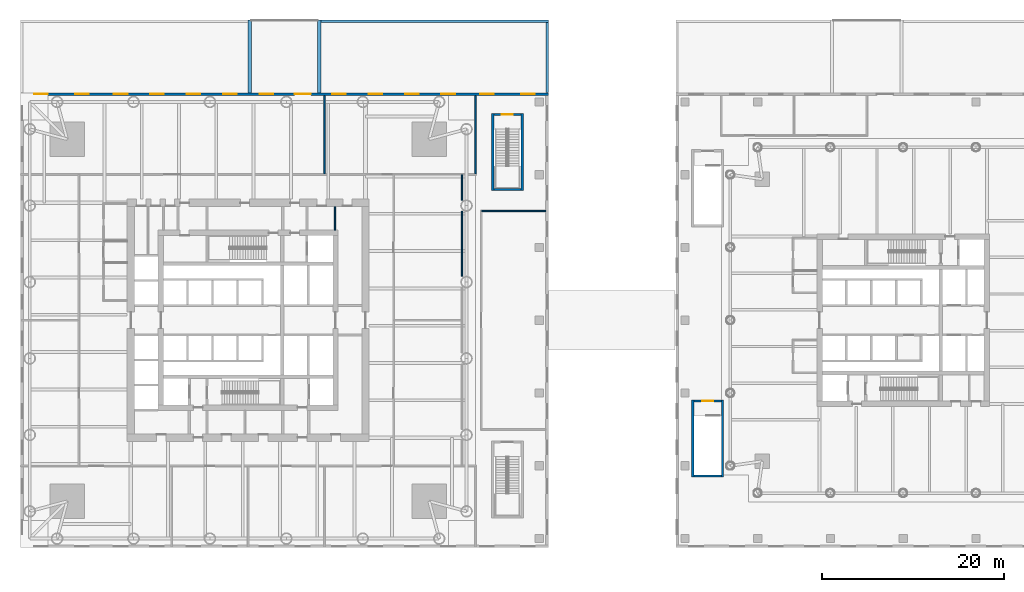
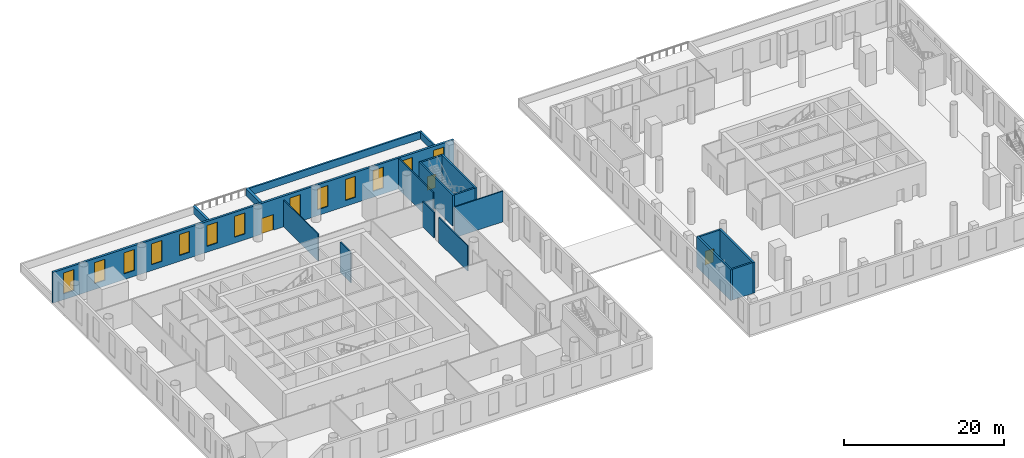
# One storey, part 9 of 16: 19 walls, 13 windows, 3 doors, 16 openings.
"""IFC4 building model written with IfcOpenShell, lengths in metres."""

from ifc_helpers import new_model, si_unit, direction, frame, frame_2d, origin, place, context, subcontext, project, spatial, rectangle, extrude, material, layer, layer_set, type_object, element, fill, save


model = new_model("IFC4")

# Units and contexts
model_context = context("Model", 3, precision=1e-05, world=origin(), true_north=direction((0.0, 1.0)))
body_context = subcontext(model_context, "Body", "Model", "MODEL_VIEW")
ifc_project = project(units=[si_unit("LENGTHUNIT", "METRE"), si_unit("AREAUNIT", "SQUARE_METRE"), si_unit("VOLUMEUNIT", "CUBIC_METRE"), si_unit("PLANEANGLEUNIT", "RADIAN"), si_unit("MASSUNIT", "GRAM", prefix="KILO")], contexts=[model_context])

# Site, building, storey
site_placement = place(None, origin())
site = spatial("IfcSite", under=ifc_project, at=site_placement, CompositionType="ELEMENT")
building_placement = place(site_placement, origin())
building = spatial("IfcBuilding", under=site, at=building_placement, Name="Ostroluk Exchange", CompositionType="ELEMENT")
storey_placement = place(building_placement, frame((0.0, 0.0, 16.0)))
storey = spatial("IfcBuildingStorey", under=building, at=storey_placement, Name="L03", CompositionType="ELEMENT", Elevation=16.0)

# Walls
ifc_material_1 = material(Name="Concrete blockwork", Category="masonry")
ifc_layer_1 = layer(ifc_material_1, 0.14990234375)
ifc_layer_set_1 = layer_set([ifc_layer_1], Name="Blockwork plant room wall 150")
wall_type_1 = type_object("IfcWallType", Name="Blockwork plant room wall 150", PredefinedType="SOLIDWALL", material=ifc_layer_set_1)
wall_1_placement = place(storey_placement, frame((54.550048828125, 55.89990234375, 0.0), z_axis=(0.0, 0.0, 1.0), x_axis=(0.0, 1.0, 0.0)))
element("IfcWall", 1, at=wall_1_placement, inside=storey, type_object=wall_type_1, Name="Core room wall", PredefinedType="SOLIDWALL", context=body_context, shape_type="SweptSolid", body=[
    extrude(rectangle(XDim=2.60009765625, YDim=0.14990234375, at=frame_2d((1.300048828125, 0.0))), origin(), (0.0, 0.0, 1.0), 4.699951171875),
])
ifc_material_2 = material(Name="Concrete blockwork", Category="masonry")
ifc_layer_2 = layer(ifc_material_2, 0.25)
ifc_layer_set_2 = layer_set([ifc_layer_2], Name="Blockwork stair enclosure wall 250")
wall_type_2 = type_object("IfcWallType", Name="Blockwork stair enclosure wall 250", PredefinedType="SOLIDWALL", material=ifc_layer_set_2)
for number, where, z_axis, x_axis, name in (
    (2, (71.875, 60.25, 0.0), (0.0, 0.0, 1.0), (0.0, 1.0, 0.0), "Stair PS4 enclosure wall"),
    (3, (75.125, 60.25, 0.0), (0.0, 0.0, 1.0), (0.0, 1.0, 0.0), "Stair PS4 enclosure wall"),
):
    element("IfcWall", number, at=place(storey_placement, frame(where, z_axis=z_axis, x_axis=x_axis)), inside=storey, type_object=wall_type_2, Name=name, PredefinedType="SOLIDWALL", context=body_context, shape_type="SweptSolid", body=[
        extrude(rectangle(XDim=8.5, YDim=0.25, at=frame_2d((4.25, 0.0))), origin(), (0.0, 0.0, 1.0), 4.699951171875),
    ])
wall_2_placement = place(storey_placement, frame((72.0, 60.375, 0.0), z_axis=(0.0, 0.0, 1.0), x_axis=(1.0, 0.0, 0.0)))
element("IfcWall", 4, at=wall_2_placement, inside=storey, type_object=wall_type_2, Name="Stair PS4 enclosure wall", PredefinedType="SOLIDWALL", context=body_context, shape_type="SweptSolid", body=[
    extrude(rectangle(XDim=3.0, YDim=0.25, at=frame_2d((1.5, 0.0))), origin(), (0.0, 0.0, 1.0), 4.699951171875),
])

# Wall, opening, door
wall_3_placement = place(storey_placement, frame((72.0, 68.625, 0.0), z_axis=(0.0, 0.0, 1.0), x_axis=(1.0, 0.0, 0.0)))
wall_3 = element("IfcWall", 5, at=wall_3_placement, inside=storey, type_object=wall_type_2, Name="Stair PS4 enclosure wall", PredefinedType="SOLIDWALL", context=body_context, shape_type="SweptSolid", body=[
    extrude(rectangle(XDim=3.0, YDim=0.25, at=frame_2d((1.5, 0.0))), origin(), (0.0, 0.0, 1.0), 4.699951171875),
])
opening_1_placement = place(wall_3_placement, frame((0.89990234375, 0.0, 0.0)))
opening_1 = element("IfcOpeningElement", 6, at=opening_1_placement, cuts=wall_3, Name="Opening FD60S", PredefinedType="OPENING", context=body_context, shape_type="SweptSolid", body=[
    extrude(rectangle(XDim=1.199951171875, YDim=2.10009765625, at=frame_2d((0.60009765625, 1.050048828125))), frame((0.0, 0.135009765625, 0.0), z_axis=(0.0, -1.0, 0.0), x_axis=(1.0, 0.0, 0.0)), (0.0, 0.0, 1.0), 0.27001953125),
])
ifc_material_3 = material(Name="Steel", Category="steel")
door_type_1 = type_object("IfcDoorType", Name="Stair door EI 60 1200 x 2100", OperationType="SINGLE_SWING_LEFT", PredefinedType="DOOR", material=ifc_material_3)
door_1_placement = place(opening_1_placement, origin())
door_1 = element("IfcDoor", 7, at=door_1_placement, inside=storey, type_object=door_type_1, Name="Stair PS4 door", OperationType="SINGLE_SWING_LEFT", OverallHeight=2.10009765625, OverallWidth=1.199951171875, PredefinedType="DOOR", context=body_context, shape_type="SweptSolid", body=[
    extrude(rectangle(XDim=1.199951171875, YDim=2.10009765625, at=frame_2d((0.60009765625, 1.050048828125))), frame((0.0, 0.02490234375, 0.0), z_axis=(0.0, -1.0, 0.0), x_axis=(1.0, 0.0, 0.0)), (0.0, 0.0, 1.0), 0.050048828125),
])
fill(opening_1, door_1)

# Walls
for number, where, z_axis, x_axis, name in (
    (8, (93.875, 28.75, 0.0), (0.0, 0.0, 1.0), (0.0, 1.0, 0.0), "Stair PS5 enclosure wall"),
    (9, (97.125, 28.75, 0.0), (0.0, 0.0, 1.0), (0.0, 1.0, 0.0), "Stair PS5 enclosure wall"),
):
    element("IfcWall", number, at=place(storey_placement, frame(where, z_axis=z_axis, x_axis=x_axis)), inside=storey, type_object=wall_type_2, Name=name, PredefinedType="SOLIDWALL", context=body_context, shape_type="SweptSolid", body=[
        extrude(rectangle(XDim=8.5, YDim=0.25, at=frame_2d((4.25, 0.0))), origin(), (0.0, 0.0, 1.0), 4.699951171875),
    ])
wall_4_placement = place(storey_placement, frame((94.0, 28.875, 0.0), z_axis=(0.0, 0.0, 1.0), x_axis=(1.0, 0.0, 0.0)))
element("IfcWall", 10, at=wall_4_placement, inside=storey, type_object=wall_type_2, Name="Stair PS5 enclosure wall", PredefinedType="SOLIDWALL", context=body_context, shape_type="SweptSolid", body=[
    extrude(rectangle(XDim=3.0, YDim=0.25, at=frame_2d((1.5, 0.0))), origin(), (0.0, 0.0, 1.0), 4.699951171875),
])

# Wall, opening, door
wall_5_placement = place(storey_placement, frame((94.0, 37.125, 0.0), z_axis=(0.0, 0.0, 1.0), x_axis=(1.0, 0.0, 0.0)))
wall_5 = element("IfcWall", 11, at=wall_5_placement, inside=storey, type_object=wall_type_2, Name="Stair PS5 enclosure wall", PredefinedType="SOLIDWALL", context=body_context, shape_type="SweptSolid", body=[
    extrude(rectangle(XDim=3.0, YDim=0.25, at=frame_2d((1.5, 0.0))), origin(), (0.0, 0.0, 1.0), 4.699951171875),
])
opening_2_placement = place(wall_5_placement, frame((0.89990234375, 0.0, 0.0)))
opening_2 = element("IfcOpeningElement", 12, at=opening_2_placement, cuts=wall_5, Name="Opening FD60S", PredefinedType="OPENING", context=body_context, shape_type="SweptSolid", body=[
    extrude(rectangle(XDim=1.199951171875, YDim=2.10009765625, at=frame_2d((0.60009765625, 1.050048828125))), frame((0.0, 0.135009765625, 0.0), z_axis=(0.0, -1.0, 0.0), x_axis=(1.0, 0.0, 0.0)), (0.0, 0.0, 1.0), 0.27001953125),
])
door_2_placement = place(opening_2_placement, origin())
door_2 = element("IfcDoor", 13, at=door_2_placement, inside=storey, type_object=door_type_1, Name="Stair PS5 door", OperationType="SINGLE_SWING_LEFT", OverallHeight=2.10009765625, OverallWidth=1.199951171875, PredefinedType="DOOR", context=body_context, shape_type="SweptSolid", body=[
    extrude(rectangle(XDim=1.199951171875, YDim=2.10009765625, at=frame_2d((0.60009765625, 1.050048828125))), frame((0.0, 0.02490234375, 0.0), z_axis=(0.0, -1.0, 0.0), x_axis=(1.0, 0.0, 0.0)), (0.0, 0.0, 1.0), 0.050048828125),
])
fill(opening_2, door_2)

# Walls
ifc_material_4 = material(Name="Limestone", Category="masonry")
ifc_layer_3 = layer(ifc_material_4, 0.25)
ifc_layer_set_3 = layer_set([ifc_layer_3], Name="Green roof parapet 250")
wall_type_3 = type_object("IfcWallType", Name="Green roof parapet 250", PredefinedType="PARAPET", material=ifc_layer_set_3)
wall_6_placement = place(storey_placement, frame((53.010009765625, 78.875, 0.0), z_axis=(0.0, 0.0, 1.0), x_axis=(1.0, 0.0, 0.0)))
element("IfcWall", 14, at=wall_6_placement, inside=storey, type_object=wall_type_3, Name="Green roof parapet L03 1", PredefinedType="PARAPET", context=body_context, shape_type="SweptSolid", body=[
    extrude(rectangle(XDim=24.989990234375, YDim=0.25, at=frame_2d((12.4951171875, 0.0))), origin(), (0.0, 0.0, 1.0), 1.10009765625),
])
wall_7_placement = place(storey_placement, frame((77.875, 71.010009765625, 0.0), z_axis=(0.0, 0.0, 1.0), x_axis=(0.0, 1.0, 0.0)))
element("IfcWall", 15, at=wall_7_placement, inside=storey, type_object=wall_type_3, Name="Green roof parapet L03 2", PredefinedType="PARAPET", context=body_context, shape_type="SweptSolid", body=[
    extrude(rectangle(XDim=7.739990234375, YDim=0.25, at=frame_2d((3.8701171875, 0.0))), origin(), (0.0, 0.0, 1.0), 1.10009765625),
])

# Wall, openings, windows, door
ifc_material_5 = material(Name="Limestone", Category="masonry")
ifc_layer_4 = layer(ifc_material_5, 0.300048828125)
ifc_layer_set_4 = layer_set([ifc_layer_4], Name="Limestone facade wall 300")
wall_type_4 = type_object("IfcWallType", Name="Limestone facade wall 300", PredefinedType="SOLIDWALL", material=ifc_layer_set_4)
wall_8_placement = place(storey_placement, frame((78.0, 70.85009765625, 0.0), z_axis=(0.0, 0.0, 1.0), x_axis=(-1.0, 0.0, 0.0)))
wall_8 = element("IfcWall", 16, at=wall_8_placement, inside=storey, type_object=wall_type_4, Name="Podium west N wall L03 1a", PredefinedType="SOLIDWALL", context=body_context, shape_type="SweptSolid", body=[
    extrude(rectangle(XDim=58.0, YDim=0.300048828125, at=frame_2d((29.0, 0.0))), origin(), (0.0, 0.0, 1.0), 4.699951171875),
])
opening_3_placement = place(wall_8_placement, frame((1.5, 0.0, 0.89990234375)))
opening_3 = element("IfcOpeningElement", 17, at=opening_3_placement, cuts=wall_8, Name="Opening WN-L2", PredefinedType="OPENING", context=body_context, shape_type="SweptSolid", body=[
    extrude(rectangle(XDim=1.5, YDim=3.199951171875, at=frame_2d((0.75, 1.60009765625))), frame((0.0, 0.159912109375, 0.0), z_axis=(0.0, -1.0, 0.0), x_axis=(1.0, 0.0, 0.0)), (0.0, 0.0, 1.0), 0.320068359375),
])
opening_4_placement = place(wall_8_placement, frame((6.0, 0.0, 0.89990234375)))
opening_4 = element("IfcOpeningElement", 18, at=opening_4_placement, cuts=wall_8, Name="Opening WN-L2", PredefinedType="OPENING", context=body_context, shape_type="SweptSolid", body=[
    extrude(rectangle(XDim=1.5, YDim=3.199951171875, at=frame_2d((0.75, 1.60009765625))), frame((0.0, 0.159912109375, 0.0), z_axis=(0.0, -1.0, 0.0), x_axis=(1.0, 0.0, 0.0)), (0.0, 0.0, 1.0), 0.320068359375),
])
opening_5_placement = place(wall_8_placement, frame((10.25, 0.0, 0.89990234375)))
opening_5 = element("IfcOpeningElement", 19, at=opening_5_placement, cuts=wall_8, Name="Opening WN-L2", PredefinedType="OPENING", context=body_context, shape_type="SweptSolid", body=[
    extrude(rectangle(XDim=1.5, YDim=3.199951171875, at=frame_2d((0.75, 1.60009765625))), frame((0.0, 0.159912109375, 0.0), z_axis=(0.0, -1.0, 0.0), x_axis=(1.0, 0.0, 0.0)), (0.0, 0.0, 1.0), 0.320068359375),
])
opening_6_placement = place(wall_8_placement, frame((14.25, 0.0, 0.89990234375)))
opening_6 = element("IfcOpeningElement", 20, at=opening_6_placement, cuts=wall_8, Name="Opening WN-L2", PredefinedType="OPENING", context=body_context, shape_type="SweptSolid", body=[
    extrude(rectangle(XDim=1.5, YDim=3.199951171875, at=frame_2d((0.75, 1.60009765625))), frame((0.0, 0.159912109375, 0.0), z_axis=(0.0, -1.0, 0.0), x_axis=(1.0, 0.0, 0.0)), (0.0, 0.0, 1.0), 0.320068359375),
])
opening_7_placement = place(wall_8_placement, frame((18.25, 0.0, 0.89990234375)))
opening_7 = element("IfcOpeningElement", 21, at=opening_7_placement, cuts=wall_8, Name="Opening WN-L2", PredefinedType="OPENING", context=body_context, shape_type="SweptSolid", body=[
    extrude(rectangle(XDim=1.5, YDim=3.199951171875, at=frame_2d((0.75, 1.60009765625))), frame((0.0, 0.159912109375, 0.0), z_axis=(0.0, -1.0, 0.0), x_axis=(1.0, 0.0, 0.0)), (0.0, 0.0, 1.0), 0.320068359375),
])
opening_8_placement = place(wall_8_placement, frame((22.25, 0.0, 0.89990234375)))
opening_8 = element("IfcOpeningElement", 22, at=opening_8_placement, cuts=wall_8, Name="Opening WN-L2", PredefinedType="OPENING", context=body_context, shape_type="SweptSolid", body=[
    extrude(rectangle(XDim=1.5, YDim=3.199951171875, at=frame_2d((0.75, 1.60009765625))), frame((0.0, 0.159912109375, 0.0), z_axis=(0.0, -1.0, 0.0), x_axis=(1.0, 0.0, 0.0)), (0.0, 0.0, 1.0), 0.320068359375),
])
opening_9_placement = place(wall_8_placement, frame((26.10009765625, 0.0, 0.0)))
opening_9 = element("IfcOpeningElement", 23, at=opening_9_placement, cuts=wall_8, Name="Opening D-T1", PredefinedType="OPENING", context=body_context, shape_type="SweptSolid", body=[
    extrude(rectangle(XDim=1.800048828125, YDim=2.39990234375, at=frame_2d((0.89990234375, 1.199951171875))), frame((0.0, 0.159912109375, 0.0), z_axis=(0.0, -1.0, 0.0), x_axis=(1.0, 0.0, 0.0)), (0.0, 0.0, 1.0), 0.320068359375),
])
opening_10_placement = place(wall_8_placement, frame((30.25, 0.0, 0.89990234375)))
opening_10 = element("IfcOpeningElement", 24, at=opening_10_placement, cuts=wall_8, Name="Opening WN-L2", PredefinedType="OPENING", context=body_context, shape_type="SweptSolid", body=[
    extrude(rectangle(XDim=1.5, YDim=3.199951171875, at=frame_2d((0.75, 1.60009765625))), frame((0.0, 0.159912109375, 0.0), z_axis=(0.0, -1.0, 0.0), x_axis=(1.0, 0.0, 0.0)), (0.0, 0.0, 1.0), 0.320068359375),
])
opening_11_placement = place(wall_8_placement, frame((34.25, 0.0, 0.89990234375)))
opening_11 = element("IfcOpeningElement", 25, at=opening_11_placement, cuts=wall_8, Name="Opening WN-L2", PredefinedType="OPENING", context=body_context, shape_type="SweptSolid", body=[
    extrude(rectangle(XDim=1.5, YDim=3.199951171875, at=frame_2d((0.75, 1.60009765625))), frame((0.0, 0.159912109375, 0.0), z_axis=(0.0, -1.0, 0.0), x_axis=(1.0, 0.0, 0.0)), (0.0, 0.0, 1.0), 0.320068359375),
])
opening_12_placement = place(wall_8_placement, frame((38.25, 0.0, 0.89990234375)))
opening_12 = element("IfcOpeningElement", 26, at=opening_12_placement, cuts=wall_8, Name="Opening WN-L2", PredefinedType="OPENING", context=body_context, shape_type="SweptSolid", body=[
    extrude(rectangle(XDim=1.5, YDim=3.199951171875, at=frame_2d((0.75, 1.60009765625))), frame((0.0, 0.159912109375, 0.0), z_axis=(0.0, -1.0, 0.0), x_axis=(1.0, 0.0, 0.0)), (0.0, 0.0, 1.0), 0.320068359375),
])
opening_13_placement = place(wall_8_placement, frame((42.25, 0.0, 0.89990234375)))
opening_13 = element("IfcOpeningElement", 27, at=opening_13_placement, cuts=wall_8, Name="Opening WN-L2", PredefinedType="OPENING", context=body_context, shape_type="SweptSolid", body=[
    extrude(rectangle(XDim=1.5, YDim=3.199951171875, at=frame_2d((0.75, 1.60009765625))), frame((0.0, 0.159912109375, 0.0), z_axis=(0.0, -1.0, 0.0), x_axis=(1.0, 0.0, 0.0)), (0.0, 0.0, 1.0), 0.320068359375),
])
opening_14_placement = place(wall_8_placement, frame((46.25, 0.0, 0.89990234375)))
opening_14 = element("IfcOpeningElement", 28, at=opening_14_placement, cuts=wall_8, Name="Opening WN-L2", PredefinedType="OPENING", context=body_context, shape_type="SweptSolid", body=[
    extrude(rectangle(XDim=1.5, YDim=3.199951171875, at=frame_2d((0.75, 1.60009765625))), frame((0.0, 0.159912109375, 0.0), z_axis=(0.0, -1.0, 0.0), x_axis=(1.0, 0.0, 0.0)), (0.0, 0.0, 1.0), 0.320068359375),
])
opening_15_placement = place(wall_8_placement, frame((50.5, 0.0, 0.89990234375)))
opening_15 = element("IfcOpeningElement", 29, at=opening_15_placement, cuts=wall_8, Name="Opening WN-L2", PredefinedType="OPENING", context=body_context, shape_type="SweptSolid", body=[
    extrude(rectangle(XDim=1.5, YDim=3.199951171875, at=frame_2d((0.75, 1.60009765625))), frame((0.0, 0.159912109375, 0.0), z_axis=(0.0, -1.0, 0.0), x_axis=(1.0, 0.0, 0.0)), (0.0, 0.0, 1.0), 0.320068359375),
])
opening_16_placement = place(wall_8_placement, frame((55.0, 0.0, 0.89990234375)))
opening_16 = element("IfcOpeningElement", 30, at=opening_16_placement, cuts=wall_8, Name="Opening WN-L2", PredefinedType="OPENING", context=body_context, shape_type="SweptSolid", body=[
    extrude(rectangle(XDim=1.5, YDim=3.199951171875, at=frame_2d((0.75, 1.60009765625))), frame((0.0, 0.159912109375, 0.0), z_axis=(0.0, -1.0, 0.0), x_axis=(1.0, 0.0, 0.0)), (0.0, 0.0, 1.0), 0.320068359375),
])
ifc_material_6 = material(Name="Laminated clear glass", Category="glass")
window_type = type_object("IfcWindowType", Name="Podium lancet window 1500 x 3200", PartitioningType="DOUBLE_PANEL_VERTICAL", PredefinedType="WINDOW", material=ifc_material_6)
window_1_placement = place(opening_3_placement, origin())
window_1 = element("IfcWindow", 31, at=window_1_placement, inside=storey, type_object=window_type, Name="Podium west lancet window N L03 1.1", OverallHeight=3.199951171875, OverallWidth=1.5, PartitioningType="SINGLE_PANEL", PredefinedType="WINDOW", context=body_context, shape_type="SweptSolid", body=[
    extrude(rectangle(XDim=1.5, YDim=3.199951171875, at=frame_2d((0.75, 1.60009765625))), frame((0.0, 0.030029296875, 0.0), z_axis=(0.0, -1.0, 0.0), x_axis=(1.0, 0.0, 0.0)), (0.0, 0.0, 1.0), 0.06005859375),
])
fill(opening_3, window_1)
window_2_placement = place(opening_4_placement, origin())
window_2 = element("IfcWindow", 32, at=window_2_placement, inside=storey, type_object=window_type, Name="Podium west lancet window N L03 1.2", OverallHeight=3.199951171875, OverallWidth=1.5, PartitioningType="SINGLE_PANEL", PredefinedType="WINDOW", context=body_context, shape_type="SweptSolid", body=[
    extrude(rectangle(XDim=1.5, YDim=3.199951171875, at=frame_2d((0.75, 1.60009765625))), frame((0.0, 0.030029296875, 0.0), z_axis=(0.0, -1.0, 0.0), x_axis=(1.0, 0.0, 0.0)), (0.0, 0.0, 1.0), 0.06005859375),
])
fill(opening_4, window_2)
window_3_placement = place(opening_5_placement, origin())
window_3 = element("IfcWindow", 33, at=window_3_placement, inside=storey, type_object=window_type, Name="Podium west lancet window N L03 2.1", OverallHeight=3.199951171875, OverallWidth=1.5, PartitioningType="SINGLE_PANEL", PredefinedType="WINDOW", context=body_context, shape_type="SweptSolid", body=[
    extrude(rectangle(XDim=1.5, YDim=3.199951171875, at=frame_2d((0.75, 1.60009765625))), frame((0.0, 0.030029296875, 0.0), z_axis=(0.0, -1.0, 0.0), x_axis=(1.0, 0.0, 0.0)), (0.0, 0.0, 1.0), 0.06005859375),
])
fill(opening_5, window_3)
window_4_placement = place(opening_6_placement, origin())
window_4 = element("IfcWindow", 34, at=window_4_placement, inside=storey, type_object=window_type, Name="Podium west lancet window N L03 2.2", OverallHeight=3.199951171875, OverallWidth=1.5, PartitioningType="SINGLE_PANEL", PredefinedType="WINDOW", context=body_context, shape_type="SweptSolid", body=[
    extrude(rectangle(XDim=1.5, YDim=3.199951171875, at=frame_2d((0.75, 1.60009765625))), frame((0.0, 0.030029296875, 0.0), z_axis=(0.0, -1.0, 0.0), x_axis=(1.0, 0.0, 0.0)), (0.0, 0.0, 1.0), 0.06005859375),
])
fill(opening_6, window_4)
window_5_placement = place(opening_7_placement, origin())
window_5 = element("IfcWindow", 35, at=window_5_placement, inside=storey, type_object=window_type, Name="Podium west lancet window N L03 3.1", OverallHeight=3.199951171875, OverallWidth=1.5, PartitioningType="SINGLE_PANEL", PredefinedType="WINDOW", context=body_context, shape_type="SweptSolid", body=[
    extrude(rectangle(XDim=1.5, YDim=3.199951171875, at=frame_2d((0.75, 1.60009765625))), frame((0.0, 0.030029296875, 0.0), z_axis=(0.0, -1.0, 0.0), x_axis=(1.0, 0.0, 0.0)), (0.0, 0.0, 1.0), 0.06005859375),
])
fill(opening_7, window_5)
window_6_placement = place(opening_8_placement, origin())
window_6 = element("IfcWindow", 36, at=window_6_placement, inside=storey, type_object=window_type, Name="Podium west lancet window N L03 3.2", OverallHeight=3.199951171875, OverallWidth=1.5, PartitioningType="SINGLE_PANEL", PredefinedType="WINDOW", context=body_context, shape_type="SweptSolid", body=[
    extrude(rectangle(XDim=1.5, YDim=3.199951171875, at=frame_2d((0.75, 1.60009765625))), frame((0.0, 0.030029296875, 0.0), z_axis=(0.0, -1.0, 0.0), x_axis=(1.0, 0.0, 0.0)), (0.0, 0.0, 1.0), 0.06005859375),
])
fill(opening_8, window_6)
window_7_placement = place(opening_10_placement, origin())
window_7 = element("IfcWindow", 37, at=window_7_placement, inside=storey, type_object=window_type, Name="Podium west lancet window N L03 4.2", OverallHeight=3.199951171875, OverallWidth=1.5, PartitioningType="SINGLE_PANEL", PredefinedType="WINDOW", context=body_context, shape_type="SweptSolid", body=[
    extrude(rectangle(XDim=1.5, YDim=3.199951171875, at=frame_2d((0.75, 1.60009765625))), frame((0.0, 0.030029296875, 0.0), z_axis=(0.0, -1.0, 0.0), x_axis=(1.0, 0.0, 0.0)), (0.0, 0.0, 1.0), 0.06005859375),
])
fill(opening_10, window_7)
window_8_placement = place(opening_11_placement, origin())
window_8 = element("IfcWindow", 38, at=window_8_placement, inside=storey, type_object=window_type, Name="Podium west lancet window N L03 5.1", OverallHeight=3.199951171875, OverallWidth=1.5, PartitioningType="SINGLE_PANEL", PredefinedType="WINDOW", context=body_context, shape_type="SweptSolid", body=[
    extrude(rectangle(XDim=1.5, YDim=3.199951171875, at=frame_2d((0.75, 1.60009765625))), frame((0.0, 0.030029296875, 0.0), z_axis=(0.0, -1.0, 0.0), x_axis=(1.0, 0.0, 0.0)), (0.0, 0.0, 1.0), 0.06005859375),
])
fill(opening_11, window_8)
window_9_placement = place(opening_12_placement, origin())
window_9 = element("IfcWindow", 39, at=window_9_placement, inside=storey, type_object=window_type, Name="Podium west lancet window N L03 5.2", OverallHeight=3.199951171875, OverallWidth=1.5, PartitioningType="SINGLE_PANEL", PredefinedType="WINDOW", context=body_context, shape_type="SweptSolid", body=[
    extrude(rectangle(XDim=1.5, YDim=3.199951171875, at=frame_2d((0.75, 1.60009765625))), frame((0.0, 0.030029296875, 0.0), z_axis=(0.0, -1.0, 0.0), x_axis=(1.0, 0.0, 0.0)), (0.0, 0.0, 1.0), 0.06005859375),
])
fill(opening_12, window_9)
window_10_placement = place(opening_13_placement, origin())
window_10 = element("IfcWindow", 40, at=window_10_placement, inside=storey, type_object=window_type, Name="Podium west lancet window N L03 6.1", OverallHeight=3.199951171875, OverallWidth=1.5, PartitioningType="SINGLE_PANEL", PredefinedType="WINDOW", context=body_context, shape_type="SweptSolid", body=[
    extrude(rectangle(XDim=1.5, YDim=3.199951171875, at=frame_2d((0.75, 1.60009765625))), frame((0.0, 0.030029296875, 0.0), z_axis=(0.0, -1.0, 0.0), x_axis=(1.0, 0.0, 0.0)), (0.0, 0.0, 1.0), 0.06005859375),
])
fill(opening_13, window_10)
window_11_placement = place(opening_14_placement, origin())
window_11 = element("IfcWindow", 41, at=window_11_placement, inside=storey, type_object=window_type, Name="Podium west lancet window N L03 6.2", OverallHeight=3.199951171875, OverallWidth=1.5, PartitioningType="SINGLE_PANEL", PredefinedType="WINDOW", context=body_context, shape_type="SweptSolid", body=[
    extrude(rectangle(XDim=1.5, YDim=3.199951171875, at=frame_2d((0.75, 1.60009765625))), frame((0.0, 0.030029296875, 0.0), z_axis=(0.0, -1.0, 0.0), x_axis=(1.0, 0.0, 0.0)), (0.0, 0.0, 1.0), 0.06005859375),
])
fill(opening_14, window_11)
window_12_placement = place(opening_15_placement, origin())
window_12 = element("IfcWindow", 42, at=window_12_placement, inside=storey, type_object=window_type, Name="Podium west lancet window N L03 7.1", OverallHeight=3.199951171875, OverallWidth=1.5, PartitioningType="SINGLE_PANEL", PredefinedType="WINDOW", context=body_context, shape_type="SweptSolid", body=[
    extrude(rectangle(XDim=1.5, YDim=3.199951171875, at=frame_2d((0.75, 1.60009765625))), frame((0.0, 0.030029296875, 0.0), z_axis=(0.0, -1.0, 0.0), x_axis=(1.0, 0.0, 0.0)), (0.0, 0.0, 1.0), 0.06005859375),
])
fill(opening_15, window_12)
window_13_placement = place(opening_16_placement, origin())
window_13 = element("IfcWindow", 43, at=window_13_placement, inside=storey, type_object=window_type, Name="Podium west lancet window N L03 7.2", OverallHeight=3.199951171875, OverallWidth=1.5, PartitioningType="SINGLE_PANEL", PredefinedType="WINDOW", context=body_context, shape_type="SweptSolid", body=[
    extrude(rectangle(XDim=1.5, YDim=3.199951171875, at=frame_2d((0.75, 1.60009765625))), frame((0.0, 0.030029296875, 0.0), z_axis=(0.0, -1.0, 0.0), x_axis=(1.0, 0.0, 0.0)), (0.0, 0.0, 1.0), 0.06005859375),
])
fill(opening_16, window_13)
ifc_material_7 = material(Name="Bronze framed glazed door", Category="aluminium")
door_type_2 = type_object("IfcDoorType", Name="Terrace double door 1800 x 2400", OperationType="DOUBLE_DOOR_SINGLE_SWING", PredefinedType="DOOR", material=ifc_material_7)
door_3_placement = place(opening_9_placement, origin())
door_3 = element("IfcDoor", 44, at=door_3_placement, inside=storey, type_object=door_type_2, Name="Podium west terrace door N L03 4", OperationType="DOUBLE_DOOR_SINGLE_SWING", OverallHeight=2.39990234375, OverallWidth=1.800048828125, PredefinedType="DOOR", context=body_context, shape_type="SweptSolid", body=[
    extrude(rectangle(XDim=1.800048828125, YDim=2.39990234375, at=frame_2d((0.89990234375, 1.199951171875))), frame((0.0, 0.02490234375, 0.0), z_axis=(0.0, -1.0, 0.0), x_axis=(1.0, 0.0, 0.0)), (0.0, 0.0, 1.0), 0.050048828125),
])
fill(opening_9, door_3)

# Walls
ifc_material_8 = material(Name="Limestone", Category="masonry")
ifc_layer_5 = layer(ifc_material_8, 0.35009765625)
ifc_layer_set_5 = layer_set([ifc_layer_5], Name="Planter wall 350")
wall_type_5 = type_object("IfcWallType", Name="Planter wall 350", PredefinedType="PARAPET", material=ifc_layer_set_5)
for number, where, z_axis, x_axis, name in (
    (45, (45.175048828125, 71.0, 0.0), (0.0, 0.0, 1.0), (0.0, 1.0, 0.0), "Terrace planter wall L03 1"),
    (46, (52.824951171875, 71.0, 0.0), (0.0, 0.0, 1.0), (0.0, 1.0, 0.0), "Terrace planter wall L03 2"),
):
    element("IfcWall", number, at=place(storey_placement, frame(where, z_axis=z_axis, x_axis=x_axis)), inside=storey, type_object=wall_type_5, Name=name, PredefinedType="PARAPET", context=body_context, shape_type="SweptSolid", body=[
        extrude(rectangle(XDim=8.0, YDim=0.35009765625, at=frame_2d((4.0, 0.0))), origin(), (0.0, 0.0, 1.0), 1.10009765625),
    ])
ifc_material_9 = material(Name="Gypsum plasterboard partition", Category="gypsum")
ifc_layer_6 = layer(ifc_material_9, 0.14990234375)
ifc_layer_set_6 = layer_set([ifc_layer_6], Name="Plasterboard partition 150")
wall_type_6 = type_object("IfcWallType", Name="Plasterboard partition 150", PredefinedType="PARTITIONING", material=ifc_layer_set_6)
wall_9_placement = place(storey_placement, frame((70.695068359375, 58.0, 0.0), z_axis=(0.0, 0.0, 1.0), x_axis=(1.0, 0.0, 0.0)))
element("IfcWall", 47, at=wall_9_placement, inside=storey, type_object=wall_type_6, Name="Partition", PredefinedType="PARTITIONING", context=body_context, shape_type="SweptSolid", body=[
    extrude(rectangle(XDim=7.0048828125, YDim=0.14990234375, at=frame_2d((3.50244140625, 0.0))), origin(), (0.0, 0.0, 1.0), 4.699951171875),
])
wall_10_placement = place(storey_placement, frame((70.0, 62.074951171875, 0.0), z_axis=(0.0, 0.0, 1.0), x_axis=(0.0, 1.0, 0.0)))
element("IfcWall", 48, at=wall_10_placement, inside=storey, type_object=wall_type_6, Name="Partition", PredefinedType="PARTITIONING", context=body_context, shape_type="SweptSolid", body=[
    extrude(rectangle(XDim=8.625, YDim=0.14990234375, at=frame_2d((4.3125, 0.0))), origin(), (0.0, 0.0, 1.0), 4.699951171875),
])
wall_11_placement = place(storey_placement, frame((53.39990234375, 62.074951171875, 0.0), z_axis=(0.0, 0.0, 1.0), x_axis=(0.0, 1.0, 0.0)))
element("IfcWall", 49, at=wall_11_placement, inside=storey, type_object=wall_type_6, Name="Partition", PredefinedType="PARTITIONING", context=body_context, shape_type="SweptSolid", body=[
    extrude(rectangle(XDim=8.625, YDim=0.14990234375, at=frame_2d((4.3125, 0.0))), origin(), (0.0, 0.0, 1.0), 4.10009765625),
])
wall_12_placement = place(storey_placement, frame((68.5, 50.8095703125, 0.0), z_axis=(0.0, 0.0, 1.0), x_axis=(0.0, 1.0, 0.0)))
element("IfcWall", 50, at=wall_12_placement, inside=storey, type_object=wall_type_6, Name="Partition", PredefinedType="PARTITIONING", context=body_context, shape_type="SweptSolid", body=[
    extrude(rectangle(XDim=7.180908203125, YDim=0.14990234375, at=frame_2d((3.59033203125, 0.0))), origin(), (0.0, 0.0, 1.0), 3.885986328125),
])
wall_13_placement = place(storey_placement, frame((68.5, 59.20947265625, 0.0), z_axis=(0.0, 0.0, 1.0), x_axis=(0.0, 1.0, 0.0)))
element("IfcWall", 51, at=wall_13_placement, inside=storey, type_object=wall_type_6, Name="Partition", PredefinedType="PARTITIONING", context=body_context, shape_type="SweptSolid", body=[
    extrude(rectangle(XDim=2.79052734375, YDim=0.14990234375, at=frame_2d((1.395263671875, 0.0))), origin(), (0.0, 0.0, 1.0), 3.885986328125),
])

save(model, "model.ifc")
